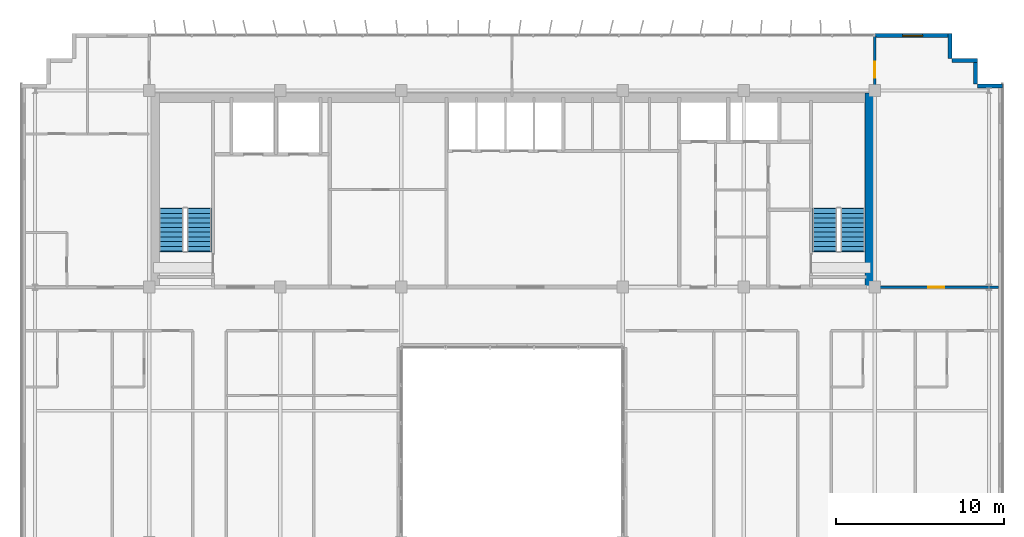
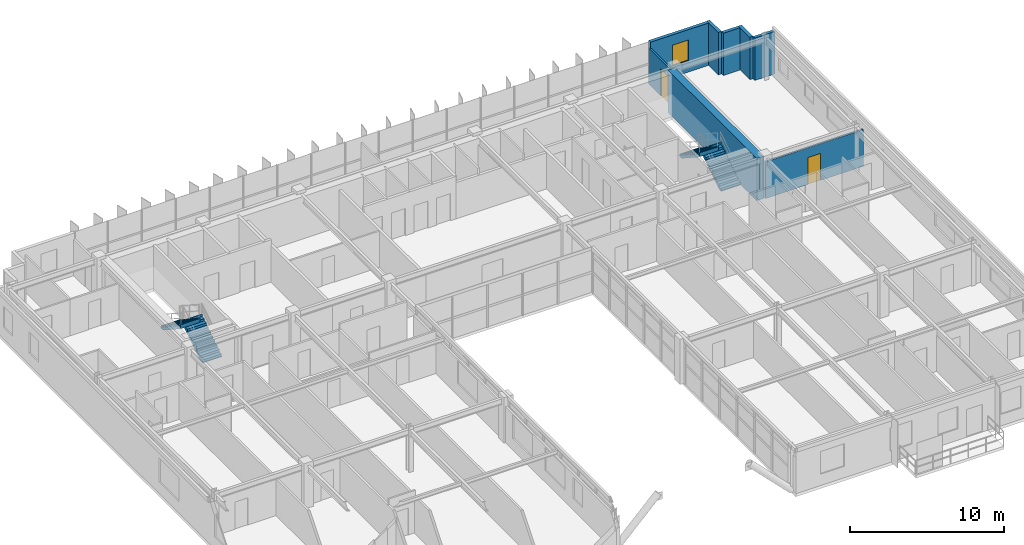
# One storey, part 33 of 35: 8 walls, 4 stair flights, 2 doors, 1 window, 3 openings, 2 elements without a shape of their own.
"""IFC4 building model written with IfcOpenShell, lengths in metres."""

import ifcopenshell
import ifcopenshell.guid

model = None  # the IFC model being written
_history = None  # IfcOwnerHistory: only IFC2X3 demands one
_inside = {}  # id of a spatial element -> (the spatial element, [elements in it])
_under = {}  # id of a project, library or spatial element -> (it, [spatial elements below it])
_declared = {}  # id of a project -> (the project, [libraries it declares])
_typed = {}  # id of a type object -> (the type object, [elements of that type])
_made_of = {}  # id of a material, layer set ... -> (it, [elements and type objects made of it])


def new_model(schema):
    """Start an empty IFC model of exactly this schema.

    Asked for "IFC4X3", IfcOpenShell would pick the latest addendum, in which some entities
    have other attributes; the version numbers below select the first issue.
    IFC2X3 requires an IfcOwnerHistory on every rooted entity: one is made here for all.
    """
    global model, _history
    if schema == "IFC4X3":
        model = ifcopenshell.file(schema_version=(4, 3, 0, 0))
    else:
        model = ifcopenshell.file(schema=schema)
    _inside.clear()
    _under.clear()
    _declared.clear()
    _typed.clear()
    _made_of.clear()
    _history = None
    if model.schema == "IFC2X3":
        org = make("IfcOrganization", Name="unknown")
        user = make(
            "IfcPersonAndOrganization",
            ThePerson=make("IfcPerson", FamilyName="unknown"),
            TheOrganization=org,
        )
        app = make(
            "IfcApplication",
            ApplicationDeveloper=org,
            Version="unknown",
            ApplicationFullName="unknown",
            ApplicationIdentifier="unknown",
        )
        _history = make(
            "IfcOwnerHistory",
            OwningUser=user,
            OwningApplication=app,
            ChangeAction="ADDED",
            CreationDate=0,
        )
    return model


def make(cls, **values):
    """One entity of the class cls with the attributes given. An attribute that is None is left unset."""
    return model.create_entity(
        cls, **{name: value for name, value in values.items() if value is not None}
    )


def rooted(cls, **values):
    """An entity with a GlobalId (a new one), such as an element, a storey or a relation."""
    return make(cls, GlobalId=ifcopenshell.guid.new(), OwnerHistory=_history, **values)


def si_unit(unit_type, name, prefix=None):
    """IfcSIUnit, for example si_unit("LENGTHUNIT", "METRE", prefix="MILLI")."""
    return make("IfcSIUnit", UnitType=unit_type, Prefix=prefix, Name=name)


def assignment(units):
    """IfcUnitAssignment: the units of a project."""
    return None if units is None else make("IfcUnitAssignment", Units=units)


def point(xyz):
    """IfcCartesianPoint."""
    return None if xyz is None else make("IfcCartesianPoint", Coordinates=xyz)


def direction(xyz):
    """IfcDirection."""
    return None if xyz is None else make("IfcDirection", DirectionRatios=xyz)


def frame(location, z_axis=None, x_axis=None):
    """IfcAxis2Placement3D, a coordinate frame: its origin and axes. An axis left out is left unset."""
    return make(
        "IfcAxis2Placement3D",
        Location=point(location),
        Axis=direction(z_axis),
        RefDirection=direction(x_axis),
    )


def frame_2d(location, x_axis=None):
    """IfcAxis2Placement2D, a coordinate frame in the plane: its origin and x axis."""
    return make(
        "IfcAxis2Placement2D", Location=point(location), RefDirection=direction(x_axis)
    )


def origin():
    """The frame at (0, 0, 0) with its axes left unset."""
    return frame((0.0, 0.0, 0.0))


def place(relative_to, where):
    """IfcLocalPlacement: puts the frame where relative to a parent placement (None: the world)."""
    return make(
        "IfcLocalPlacement", PlacementRelTo=relative_to, RelativePlacement=where
    )


def context(
    kind, dimensions, precision=None, world=None, true_north=None, identifier=None
):
    """IfcGeometricRepresentationContext, for example the 3D "Model" context."""
    return make(
        "IfcGeometricRepresentationContext",
        ContextIdentifier=identifier,
        ContextType=kind,
        CoordinateSpaceDimension=dimensions,
        Precision=precision,
        WorldCoordinateSystem=world,
        TrueNorth=true_north,
    )


def subcontext(parent, identifier, kind, view, scale=None):
    """IfcGeometricRepresentationSubContext, for example "Body" below "Model"."""
    return make(
        "IfcGeometricRepresentationSubContext",
        ContextIdentifier=identifier,
        ContextType=kind,
        ParentContext=parent,
        TargetScale=scale,
        TargetView=view,
    )


def project(units=None, contexts=None):
    """IfcProject with its units and contexts."""
    return rooted(
        "IfcProject",
        Name="project",
        RepresentationContexts=contexts,
        UnitsInContext=assignment(units),
    )


def spatial(cls, under=None, at=None, **own):
    """A site, building, storey or space (cls), placed at a placement, below another one or the project."""
    s = rooted(cls, ObjectPlacement=at, **own)
    if under is not None:
        _under.setdefault(under.id(), (under, []))[1].append(s)
    return s


def polyline(points):
    """IfcPolyline through the points."""
    return make("IfcPolyline", Points=[point(p) for p in points])


def profile(cls, at=None, kind="AREA", **sizes):
    """A parametric profile (cls). Its sizes go by their IFC names, for example OverallWidth=200.0."""
    return make(cls, ProfileType=kind, Position=at, **sizes)


def rectangle(**sizes):
    """IfcRectangleProfileDef."""
    return profile("IfcRectangleProfileDef", **sizes)


def outline(outer, holes=None, kind="AREA"):
    """IfcArbitraryClosedProfileDef: a profile drawn as a closed curve; with holes, ...WithVoids."""
    if holes is None:
        return make("IfcArbitraryClosedProfileDef", ProfileType=kind, OuterCurve=outer)
    return make(
        "IfcArbitraryProfileDefWithVoids",
        ProfileType=kind,
        OuterCurve=outer,
        InnerCurves=holes,
    )


def extrude(swept, where, along, depth):
    """IfcExtrudedAreaSolid: the profile swept, set in the frame where, extruded along a direction by depth."""
    return make(
        "IfcExtrudedAreaSolid",
        SweptArea=swept,
        Position=where,
        ExtrudedDirection=direction(along),
        Depth=depth,
    )


def shape(context_of_items, identifier, shape_type, items):
    """IfcShapeRepresentation: the items that make up one representation, for example the "Body"."""
    return make(
        "IfcShapeRepresentation",
        ContextOfItems=context_of_items,
        RepresentationIdentifier=identifier,
        RepresentationType=shape_type,
        Items=items,
    )


def source(mapping_origin, context_of_items, identifier, shape_type, items):
    """IfcRepresentationMap: a shape defined once, which mapped items show again and again."""
    return make(
        "IfcRepresentationMap",
        MappingOrigin=mapping_origin,
        MappedRepresentation=shape(context_of_items, identifier, shape_type, items),
    )


def transform(
    local_origin,
    x_axis=None,
    y_axis=None,
    z_axis=None,
    scale=None,
    scale2=None,
    scale3=None,
    uniform=True,
):
    """IfcCartesianTransformationOperator3D, or its non-uniform kind. x_axis, y_axis, z_axis: its Axis1, 2, 3."""
    if uniform:
        return make(
            "IfcCartesianTransformationOperator3D",
            Axis1=direction(x_axis),
            Axis2=direction(y_axis),
            LocalOrigin=point(local_origin),
            Scale=scale,
            Axis3=direction(z_axis),
        )
    return make(
        "IfcCartesianTransformationOperator3DnonUniform",
        Axis1=direction(x_axis),
        Axis2=direction(y_axis),
        LocalOrigin=point(local_origin),
        Scale=scale,
        Axis3=direction(z_axis),
        Scale2=scale2,
        Scale3=scale3,
    )


def mapped(mapping_source, mapping_target):
    """IfcMappedItem: shows the shape of a source again, moved by a transform."""
    return make(
        "IfcMappedItem", MappingSource=mapping_source, MappingTarget=mapping_target
    )


def material(Name=None, Category=None):
    """IfcMaterial."""
    return make("IfcMaterial", Name=Name, Category=Category)


def layer(
    of_material, thickness, ventilated=None, Name=None, Category=None, Priority=None
):
    """IfcMaterialLayer: one layer of a wall or slab, of a material (None: an air gap)."""
    return make(
        "IfcMaterialLayer",
        Material=of_material,
        LayerThickness=thickness,
        IsVentilated=ventilated,
        Name=Name,
        Category=Category,
        Priority=Priority,
    )


def layer_set(layers, Name=None):
    """IfcMaterialLayerSet."""
    return make("IfcMaterialLayerSet", MaterialLayers=layers, LayerSetName=Name)


def made_of(thing, what):
    """Note that an element or type object is made of a material, layer set ...; save() writes the relation."""
    if what is not None:
        _made_of.setdefault(what.id(), (what, []))[1].append(thing)
    return thing


def type_object(cls, material=None, **own):
    """A type object (cls), such as IfcWallType, which elements share."""
    return made_of(rooted(cls, **own), material)


def element(
    cls,
    number,
    at=None,
    inside=None,
    cuts=None,
    type_object=None,
    material=None,
    context=None,
    identifier="Body",
    shape_type=None,
    held_by="IfcProductDefinitionShape",
    body=None,
    shapes=None,
    **own,
):
    """One element of the class cls, such as IfcWall. Its Tag is "e" and its number.

    at: its placement. inside: the storey or other place that contains it. cuts: it is an
    opening in that element (IfcRelVoidsElement). A single representation is given by context,
    identifier, shape_type and body (its items); several are given by shapes. held_by: the class
    of the entity that holds the representations. save() writes the other relations.
    """
    e = rooted(cls, Tag="e%d" % number, ObjectPlacement=at, **own)
    if body is not None:
        shapes = [shape(context, identifier, shape_type, body)]
    if shapes is not None:
        e.Representation = make(held_by, Representations=shapes)
    if inside is not None:
        _inside.setdefault(inside.id(), (inside, []))[1].append(e)
    if cuts is not None:
        rooted(
            "IfcRelVoidsElement", RelatingBuildingElement=cuts, RelatedOpeningElement=e
        )
    if type_object is not None:
        _typed.setdefault(type_object.id(), (type_object, []))[1].append(e)
    return made_of(e, material)


def fill(opening, filler):
    """IfcRelFillsElement: the door or window that sits in an opening."""
    return rooted(
        "IfcRelFillsElement",
        RelatingOpeningElement=opening,
        RelatedBuildingElement=filler,
    )


def aggregate(whole, parts):
    """IfcRelAggregates: a whole, such as a stair, and the parts it consists of."""
    return rooted("IfcRelAggregates", RelatingObject=whole, RelatedObjects=parts)


def save(model, path):
    """Write the relations noted so far, then the file.

    IfcRelAggregates (storeys below a building ...), IfcRelContainedInSpatialStructure (elements
    in a storey), IfcRelDefinesByType, IfcRelAssociatesMaterial and IfcRelDeclares: one each for
    every whole, place, type object, material and project.
    """
    for whole, parts in _under.values():
        aggregate(whole, parts)
    for where, things in _inside.values():
        rooted(
            "IfcRelContainedInSpatialStructure",
            RelatedElements=things,
            RelatingStructure=where,
        )
    for kind, things in _typed.values():
        rooted("IfcRelDefinesByType", RelatedObjects=things, RelatingType=kind)
    for what, things in _made_of.values():
        rooted("IfcRelAssociatesMaterial", RelatedObjects=things, RelatingMaterial=what)
    for by, libraries in _declared.values():
        rooted("IfcRelDeclares", RelatingContext=by, RelatedDefinitions=libraries)
    model.write(path)


model = new_model("IFC4")

# Units and contexts
model_context = context("Model", 3, precision=1e-05, world=origin(), true_north=direction((0.0, 1.0)))
body_context = subcontext(model_context, "Body", "Model", "MODEL_VIEW")
ifc_project = project(units=[si_unit("LENGTHUNIT", "METRE"), si_unit("AREAUNIT", "SQUARE_METRE"), si_unit("VOLUMEUNIT", "CUBIC_METRE"), si_unit("PLANEANGLEUNIT", "RADIAN"), si_unit("MASSUNIT", "GRAM", prefix="KILO")], contexts=[model_context])

# Site, building, storey
site_placement = place(None, origin())
site = spatial("IfcSite", under=ifc_project, at=site_placement, CompositionType="ELEMENT")
building_placement = place(site_placement, origin())
building = spatial("IfcBuilding", under=site, at=building_placement, Name="Trelvane Seafront Commons", CompositionType="ELEMENT")
storey_placement = place(building_placement, frame((0.0, 0.0, 194.10009765625)))
storey = spatial("IfcBuildingStorey", under=building, at=storey_placement, Name="L50", CompositionType="ELEMENT", Elevation=194.10009765625)

# Wall, opening, window
ifc_material_1 = material(Name="Precast concrete C40/50", Category="concrete")
ifc_layer_1 = layer(ifc_material_1, 0.239990234375, Name="ARCH-WALL-EXT240")
ifc_layer_set_1 = layer_set([ifc_layer_1], Name="Precast concrete C40/50")
wall_type_1 = type_object("IfcWallType", Name="ARCH-WALL-EXT240", PredefinedType="SOLIDWALL", material=ifc_layer_set_1)
wall_1_placement = place(storey_placement, frame((58.800048828125, 48.3701171875, 0.0), z_axis=(0.0, 0.0, 1.0), x_axis=(1.0, 0.0, 0.0)))
wall_1 = element("IfcWall", 1, at=wall_1_placement, inside=storey, type_object=wall_type_1, Name="EW-L50-NE-0983", PredefinedType="SOLIDWALL", context=body_context, shape_type="SweptSolid", body=[
    extrude(rectangle(XDim=4.5, YDim=0.239990234375, at=frame_2d((2.25, 0.0))), origin(), (0.0, 0.0, 1.0), 3.35986328125),
])
opening_1_placement = place(wall_1_placement, frame((1.64990234375, 0.0, 0.89990234375)))
opening_1 = element("IfcOpeningElement", 2, at=opening_1_placement, cuts=wall_1, Name="Opening W05", PredefinedType="OPENING", context=body_context, shape_type="SweptSolid", body=[
    extrude(rectangle(XDim=1.199951171875, YDim=1.64990234375, at=frame_2d((0.60009765625, 0.824951171875))), frame((0.0, 0.1298828125, 0.0), z_axis=(0.0, -1.0, 0.0), x_axis=(1.0, 0.0, 0.0)), (0.0, 0.0, 1.0), 0.260009765625),
])
ifc_material_2 = material(Name="Low-E coastal double glazing", Category="glass")
window_type = type_object("IfcWindowType", Name="ARCH-WIN-W05", PartitioningType="SINGLE_PANEL", PredefinedType="WINDOW", material=ifc_material_2)
shared_shape_1 = source(origin(), body_context, "Body", "SweptSolid", [
    extrude(rectangle(XDim=1.199951171875, YDim=1.64990234375, at=frame_2d((0.60009765625, 0.824951171875))), frame((0.0, 0.030029296875, 0.0), z_axis=(0.0, -1.0, 0.0), x_axis=(1.0, 0.0, 0.0)), (0.0, 0.0, 1.0), 0.06005859375),
])
window_placement = place(opening_1_placement, origin())
window = element("IfcWindow", 3, at=window_placement, inside=storey, type_object=window_type, Name="WIN-L50-01168", OverallHeight=1.64990234375, OverallWidth=1.199951171875, PartitioningType="SINGLE_PANEL", PredefinedType="WINDOW", context=body_context, shape_type="MappedRepresentation", body=[
    mapped(shared_shape_1, transform((0.0, 0.0, 0.0), x_axis=(1.0, 0.0, 0.0), y_axis=(0.0, 1.0, 0.0), z_axis=(0.0, 0.0, 1.0), scale=1.0)),
])
fill(opening_1, window)

# Walls
for number, where, z_axis, x_axis, name in (
    (4, (63.280029296875, 48.5, 0.0), (0.0, 0.0, 1.0), (0.0, -1.0, 0.0), "EW-L50-00992"),
    (5, (63.39990234375, 46.8798828125, 0.0), (0.0, 0.0, 1.0), (1.0, 0.0, 0.0), "EW-L50-00993"),
    (6, (64.780029296875, 47.0, 0.0), (0.0, 0.0, 1.0), (0.0, -1.0, 0.0), "EW-L50-00994"),
    (7, (64.89990234375, 45.3798828125, 0.0), (0.0, 0.0, 1.0), (1.0, 0.0, 0.0), "EW-L50-00995"),
):
    element("IfcWall", number, at=place(storey_placement, frame(where, z_axis=z_axis, x_axis=x_axis)), inside=storey, type_object=wall_type_1, Name=name, PredefinedType="SOLIDWALL", context=body_context, shape_type="SweptSolid", body=[
        extrude(rectangle(XDim=1.5, YDim=0.239990234375, at=frame_2d((0.75, 0.0))), origin(), (0.0, 0.0, 1.0), 3.35986328125),
    ])

# Wall, opening, door
ifc_material_3 = material(Name="Gypsum Drywall Acoustic Partition")
ifc_layer_2 = layer(ifc_material_3, 0.14990234375, Name="ARCH-WALL-PART150")
ifc_layer_set_2 = layer_set([ifc_layer_2], Name="Gypsum Drywall Acoustic Partition")
wall_type_2 = type_object("IfcWallType", Name="ARCH-WALL-PART150", PredefinedType="PARTITIONING", material=ifc_layer_set_2)
wall_2_placement = place(storey_placement, frame((58.800048828125, 33.39990234375, 0.0), z_axis=(0.0, 0.0, 1.0), x_axis=(1.0, 0.0, 0.0)))
wall_2 = element("IfcWall", 8, at=wall_2_placement, inside=storey, type_object=wall_type_2, Name="W-L50-NE-ENT-043", PredefinedType="PARTITIONING", context=body_context, shape_type="SweptSolid", body=[
    extrude(rectangle(XDim=7.349853515625, YDim=0.14990234375, at=frame_2d((3.6748046875, 0.0))), origin(), (0.0, 0.0, 1.0), 2.909912109375),
])
opening_2_placement = place(wall_2_placement, frame((3.19189453125, 0.0, 0.0)))
opening_2 = element("IfcOpeningElement", 9, at=opening_2_placement, cuts=wall_2, Name="Opening FD-L50-25", PredefinedType="OPENING", context=body_context, shape_type="SweptSolid", body=[
    extrude(rectangle(XDim=0.949951171875, YDim=2.14990234375, at=frame_2d((0.47509765625, 1.074951171875))), frame((0.0, 0.0849609375, 0.0), z_axis=(0.0, -1.0, 0.0), x_axis=(1.0, 0.0, 0.0)), (0.0, 0.0, 1.0), 0.169921875),
])
ifc_material_4 = material(Name="Powder-coated aluminium frame", Category="aluminium")
door_type = type_object("IfcDoorType", Name="ARCH-DR-FD60-950", OperationType="NOTDEFINED", PredefinedType="DOOR", material=ifc_material_4)
shared_shape_2 = source(origin(), body_context, "Body", "SweptSolid", [
    extrude(rectangle(XDim=0.949951171875, YDim=2.14990234375, at=frame_2d((0.47509765625, 1.074951171875))), frame((0.0, 0.02490234375, 0.0), z_axis=(0.0, -1.0, 0.0), x_axis=(1.0, 0.0, 0.0)), (0.0, 0.0, 1.0), 0.050048828125),
])
door_1_placement = place(opening_2_placement, origin())
door_1 = element("IfcDoor", 10, at=door_1_placement, inside=storey, type_object=door_type, Name="L50 NE Suite Entrance Door", OperationType="SINGLE_SWING_LEFT", OverallHeight=2.14990234375, OverallWidth=0.949951171875, PredefinedType="DOOR", context=body_context, shape_type="MappedRepresentation", body=[
    mapped(shared_shape_2, transform((0.0, 0.0, 0.0), x_axis=(1.0, 0.0, 0.0), y_axis=(0.0, 1.0, 0.0), z_axis=(0.0, 0.0, 1.0), scale=1.0)),
])
fill(opening_2, door_1)

wall_3_placement = place(storey_placement, frame((58.800048828125, 44.75, 0.0), z_axis=(0.0, 0.0, 1.0), x_axis=(0.0, 1.0, 0.0)))
wall_3 = element("IfcWall", 11, at=wall_3_placement, inside=storey, type_object=wall_type_2, Name="W-L50-N-LINK-E-046", PredefinedType="PARTITIONING", context=body_context, shape_type="SweptSolid", body=[
    extrude(rectangle(XDim=3.610107421875, YDim=0.14990234375, at=frame_2d((1.80517578125, 0.0))), origin(), (0.0, 0.0, 1.0), 2.85986328125),
])
opening_3_placement = place(wall_3_placement, frame((1.10009765625, 0.0, 0.0)))
opening_3 = element("IfcOpeningElement", 12, at=opening_3_placement, cuts=wall_3, Name="Opening FD-L50-28", PredefinedType="OPENING", context=body_context, shape_type="SweptSolid", body=[
    extrude(rectangle(XDim=0.949951171875, YDim=2.14990234375, at=frame_2d((0.47509765625, 1.074951171875))), frame((0.0, 0.0849609375, 0.0), z_axis=(0.0, -1.0, 0.0), x_axis=(1.0, 0.0, 0.0)), (0.0, 0.0, 1.0), 0.169921875),
])
door_2_placement = place(opening_3_placement, origin())
door_2 = element("IfcDoor", 13, at=door_2_placement, inside=storey, type_object=door_type, Name="L50 Door 28", OperationType="SINGLE_SWING_RIGHT", OverallHeight=2.14990234375, OverallWidth=0.949951171875, PredefinedType="DOOR", context=body_context, shape_type="MappedRepresentation", body=[
    mapped(shared_shape_2, transform((0.0, 0.0, 0.0), x_axis=(1.0, 0.0, 0.0), y_axis=(0.0, 1.0, 0.0), z_axis=(0.0, 0.0, 1.0), scale=1.0)),
])
fill(opening_3, door_2)

# Wall
ifc_material_5 = material(Name="Concrete C50/60", Category="concrete")
ifc_layer_3 = layer(ifc_material_5, 0.550048828125, Name="STR-WALL-CORE550")
ifc_layer_set_3 = layer_set([ifc_layer_3], Name="Concrete C50/60")
wall_type_3 = type_object("IfcWallType", Name="STR-WALL-CORE550", PredefinedType="SHEAR", material=ifc_layer_set_3)
wall_4_placement = place(storey_placement, frame((58.47509765625, 33.39990234375, 0.0), z_axis=(0.0, 0.0, 1.0), x_axis=(0.0, 1.0, 0.0)))
element("IfcWall", 14, at=wall_4_placement, inside=storey, type_object=wall_type_3, Name="W-L50-CE-END-003", PredefinedType="SHEAR", context=body_context, shape_type="SweptSolid", body=[
    extrude(rectangle(XDim=11.550048828125, YDim=0.550048828125, at=frame_2d((5.77490234375, 0.0))), origin(), (0.0, 0.0, 1.0), 3.35986328125),
])

# Stair, stair flights
ifc_material_6 = material(Name="Concrete C40/50", Category="concrete")
stair_type_1 = type_object("IfcStairType", Name="ARCH-STR-ST-1-R20-180", PredefinedType="HALF_TURN_STAIR", material=ifc_material_6)
stair_1_placement = place(storey_placement, origin())
stair_1 = element("IfcStair", 15, at=stair_1_placement, inside=storey, type_object=stair_type_1, Name="L50 West Protected Firefighting Exit Stair ST-1", PredefinedType="HALF_TURN_STAIR")
stair_flight_type_1 = type_object("IfcStairFlightType", Name="ARCH-FLG-ST-1-R20-180", PredefinedType="STRAIGHT", material=ifc_material_6)
shared_shape_3 = source(origin(), body_context, "Body", "SweptSolid", [
    extrude(outline(polyline([(-0.050048828125, -0.02001953125), (-0.050048828125, 0.0), (0.0, 0.0), (0.0, 0.179931640625), (0.280029296875, 0.179931640625), (0.280029296875, 0.360107421875), (0.56005859375, 0.360107421875), (0.56005859375, 0.5400390625), (0.840087890625, 0.5400390625), (0.840087890625, 0.719970703125), (1.1201171875, 0.719970703125), (1.1201171875, 0.89990234375), (1.39990234375, 0.89990234375), (1.39990234375, 1.080078125), (1.679931640625, 1.080078125), (1.679931640625, 1.260009765625), (1.9599609375, 1.260009765625), (1.9599609375, 1.43994140625), (2.239990234375, 1.43994140625), (2.239990234375, 1.6201171875), (2.52001953125, 1.6201171875), (2.52001953125, 1.800048828125), (2.570068359375, 1.800048828125), (2.570068359375, 1.650146484375), (2.52001953125, 1.44189453125), (0.277099609375, -0.02001953125), (-0.050048828125, -0.02001953125)])), frame((0.0, 0.72509765625, 0.0), z_axis=(0.0, -1.0, 0.0), x_axis=(1.0, 0.0, 0.0)), (0.0, 0.0, 1.0), 1.449951171875),
])
stair_flight_1_placement = place(storey_placement, frame((18.574951171875, 35.550048828125, 0.0), z_axis=(0.0, 0.0, 1.0), x_axis=(0.0, 1.0, 0.0)))
stair_flight_1 = element("IfcStairFlight", 16, at=stair_flight_1_placement, type_object=stair_flight_type_1, Name="ST-1 flight 1", NumberOfRisers=10, NumberOfTreads=9, PredefinedType="STRAIGHT", RiserHeight=0.18, TreadLength=0.28, context=body_context, shape_type="MappedRepresentation", body=[
    mapped(shared_shape_3, transform((0.0, 0.0, 0.0), x_axis=(1.0, 0.0, 0.0), y_axis=(0.0, 1.0, 0.0), z_axis=(0.0, 0.0, 1.0), scale=1.0)),
])
stair_flight_2_placement = place(storey_placement, frame((16.925048828125, 38.070068359375, 1.7998046875), z_axis=(0.0, 0.0, 1.0), x_axis=(0.0, -1.0, 0.0)))
stair_flight_2 = element("IfcStairFlight", 17, at=stair_flight_2_placement, type_object=stair_flight_type_1, Name="ST-1 flight 2", NumberOfRisers=10, NumberOfTreads=9, PredefinedType="STRAIGHT", RiserHeight=0.18, TreadLength=0.28, context=body_context, shape_type="MappedRepresentation", body=[
    mapped(shared_shape_3, transform((0.0, 0.0, 0.0), x_axis=(1.0, 0.0, 0.0), y_axis=(0.0, 1.0, 0.0), z_axis=(0.0, 0.0, 1.0), scale=1.0)),
])
aggregate(stair_1, [stair_flight_1, stair_flight_2])

stair_type_2 = type_object("IfcStairType", Name="ARCH-STR-ST-2-R20-180", PredefinedType="HALF_TURN_STAIR", material=ifc_material_6)
stair_2_placement = place(storey_placement, origin())
stair_2 = element("IfcStair", 18, at=stair_2_placement, inside=storey, type_object=stair_type_2, Name="L50 East Protected Firefighting Exit Stair ST-2", PredefinedType="HALF_TURN_STAIR")
stair_flight_type_2 = type_object("IfcStairFlightType", Name="ARCH-FLG-ST-2-R20-180", PredefinedType="STRAIGHT", material=ifc_material_6)
stair_flight_3_placement = place(storey_placement, frame((57.47509765625, 35.550048828125, 0.0), z_axis=(0.0, 0.0, 1.0), x_axis=(0.0, 1.0, 0.0)))
stair_flight_3 = element("IfcStairFlight", 19, at=stair_flight_3_placement, type_object=stair_flight_type_2, Name="ST-2 flight 1", NumberOfRisers=10, NumberOfTreads=9, PredefinedType="STRAIGHT", RiserHeight=0.18, TreadLength=0.28, context=body_context, shape_type="MappedRepresentation", body=[
    mapped(shared_shape_3, transform((0.0, 0.0, 0.0), x_axis=(1.0, 0.0, 0.0), y_axis=(0.0, 1.0, 0.0), z_axis=(0.0, 0.0, 1.0), scale=1.0)),
])
stair_flight_4_placement = place(storey_placement, frame((55.824951171875, 38.070068359375, 1.7998046875), z_axis=(0.0, 0.0, 1.0), x_axis=(0.0, -1.0, 0.0)))
stair_flight_4 = element("IfcStairFlight", 20, at=stair_flight_4_placement, type_object=stair_flight_type_2, Name="ST-2 flight 2", NumberOfRisers=10, NumberOfTreads=9, PredefinedType="STRAIGHT", RiserHeight=0.18, TreadLength=0.28, context=body_context, shape_type="MappedRepresentation", body=[
    mapped(shared_shape_3, transform((0.0, 0.0, 0.0), x_axis=(1.0, 0.0, 0.0), y_axis=(0.0, 1.0, 0.0), z_axis=(0.0, 0.0, 1.0), scale=1.0)),
])
aggregate(stair_2, [stair_flight_3, stair_flight_4])

save(model, "model.ifc")
